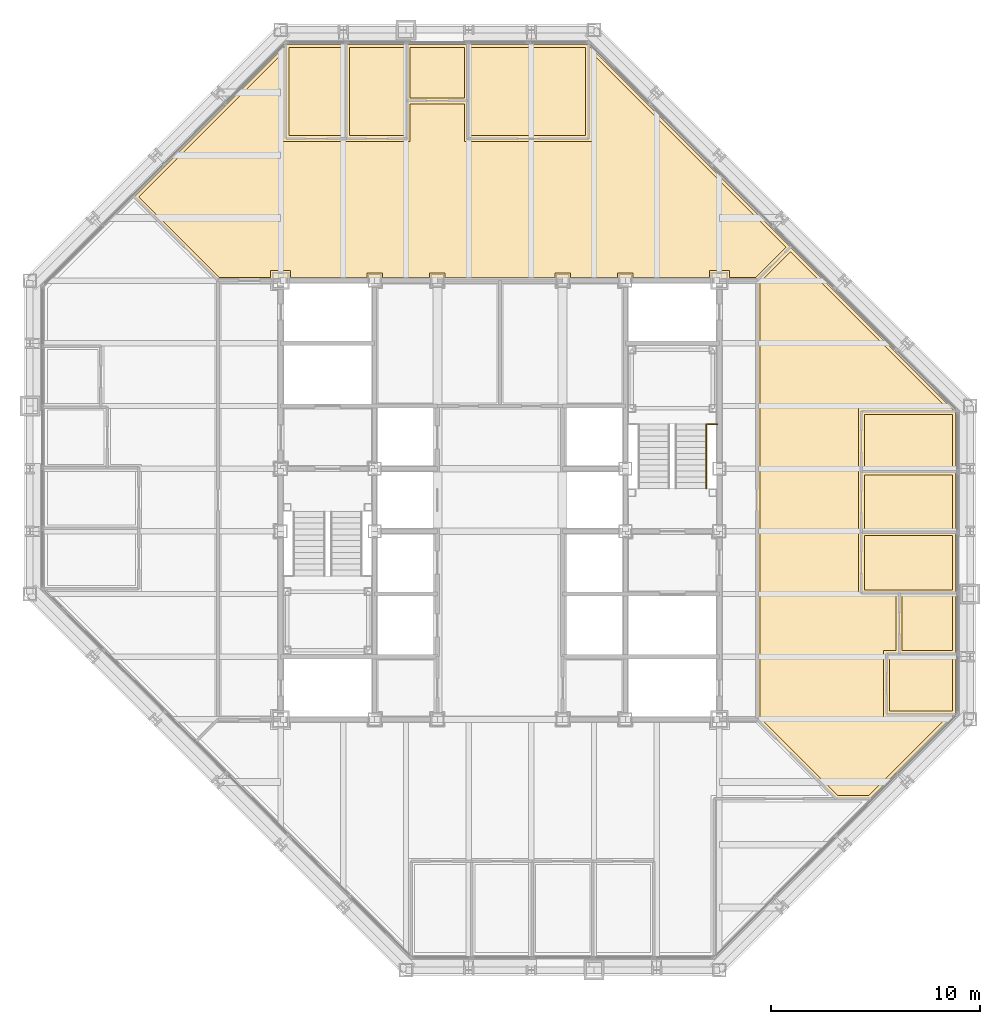
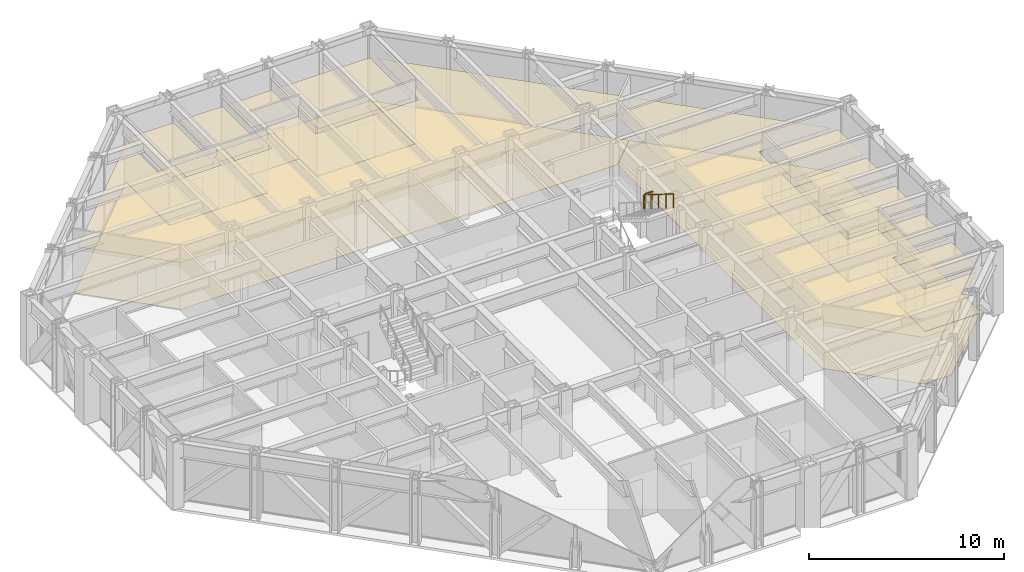
# One storey, part 15 of 15: 22 coverings, 2 railings.
"""IFC4 building model written with IfcOpenShell, lengths in metres."""

from ifc_helpers import new_model, si_unit, direction, frame, origin, origin_2d, place, context, subcontext, project, spatial, polyline, circle, outline, extrude, material, layer, layer_set, type_object, element, save


model = new_model("IFC4")

# Units and contexts
model_context = context("Model", 3, precision=1e-05, world=origin(), true_north=direction((0.0, 1.0)))
body_context = subcontext(model_context, "Body", "Model", "MODEL_VIEW")
ifc_project = project(units=[si_unit("LENGTHUNIT", "METRE"), si_unit("AREAUNIT", "SQUARE_METRE"), si_unit("VOLUMEUNIT", "CUBIC_METRE"), si_unit("PLANEANGLEUNIT", "RADIAN"), si_unit("MASSUNIT", "GRAM", prefix="KILO")], contexts=[model_context])

# Site, building, storey
site_placement = place(None, origin())
site = spatial("IfcSite", under=ifc_project, at=site_placement, CompositionType="ELEMENT")
building_placement = place(site_placement, origin())
building = spatial("IfcBuilding", under=site, at=building_placement, Name="Chuquiago Exchange Tower", CompositionType="ELEMENT")
storey_placement = place(building_placement, frame((0.0, 0.0, 188.699951171875)))
storey = spatial("IfcBuildingStorey", under=building, at=storey_placement, Name="L41", CompositionType="ELEMENT", Elevation=188.699951171875)

# Coverings
ifc_material_1 = material(Name="Mineral fibre tile, 600 x 600, on pale metal grid", Category="mineral fibre")
ifc_layer_1 = layer(ifc_material_1, 0.02001953125)
ifc_layer_set_1 = layer_set([ifc_layer_1], Name="CL1 suspended tile ceiling 20")
covering_type_1 = type_object("IfcCoveringType", Name="CL1 suspended tile ceiling 20", PredefinedType="CEILING", material=ifc_layer_set_1)
covering_1_placement = place(storey_placement, frame((0.0, 0.0, 2.800048828125)))
element("IfcCovering", 1, at=covering_1_placement, inside=storey, type_object=covering_type_1, Name="Ceiling Pantry", PredefinedType="CEILING", context=body_context, shape_type="SweptSolid", body=[
    extrude(outline(polyline([(41.14990234375, 12.3984375), (41.14990234375, 14.9990234375), (44.14990234375, 14.9990234375), (44.14990234375, 12.3984375), (41.14990234375, 12.3984375)])), origin(), (0.0, 0.0, 1.0), 0.02001953125),
])
covering_2_placement = place(storey_placement, frame((0.0, 0.0, 2.800048828125)))
element("IfcCovering", 2, at=covering_2_placement, inside=storey, type_object=covering_type_1, Name="Ceiling Focus room", PredefinedType="CEILING", context=body_context, shape_type="SweptSolid", body=[
    extrude(outline(polyline([(41.75, 15.299072265625), (41.75, 17.899658203125), (44.14990234375, 17.899658203125), (44.14990234375, 15.299072265625), (41.75, 15.299072265625)])), origin(), (0.0, 0.0, 1.0), 0.02001953125),
])
covering_3_placement = place(storey_placement, frame((0.0, 0.0, 2.800048828125)))
element("IfcCovering", 3, at=covering_3_placement, inside=storey, type_object=covering_type_1, Name="Ceiling Office", PredefinedType="CEILING", context=body_context, shape_type="SweptSolid", body=[
    extrude(outline(polyline([(39.949951171875, 18.19970703125), (39.949951171875, 20.80029296875), (44.14990234375, 20.80029296875), (44.14990234375, 18.19970703125), (39.949951171875, 18.19970703125)])), origin(), (0.0, 0.0, 1.0), 0.02001953125),
])
covering_4_placement = place(storey_placement, frame((0.0, 0.0, 2.800048828125)))
element("IfcCovering", 4, at=covering_4_placement, inside=storey, type_object=covering_type_1, Name="Ceiling Meeting room", PredefinedType="CEILING", context=body_context, shape_type="SweptSolid", body=[
    extrude(outline(polyline([(39.949951171875, 21.100341796875), (39.949951171875, 23.700927734375), (44.14990234375, 23.700927734375), (44.14990234375, 21.100341796875), (39.949951171875, 21.100341796875)])), origin(), (0.0, 0.0, 1.0), 0.02001953125),
])
covering_5_placement = place(storey_placement, frame((0.0, 0.0, 2.800048828125)))
element("IfcCovering", 5, at=covering_5_placement, inside=storey, type_object=covering_type_1, Name="Ceiling Meeting room", PredefinedType="CEILING", context=body_context, shape_type="SweptSolid", body=[
    extrude(outline(polyline([(44.14990234375, 24.0009765625), (39.949951171875, 24.0009765625), (39.949951171875, 26.6015625), (44.14990234375, 26.6015625), (44.14990234375, 24.0009765625)])), origin(), (0.0, 0.0, 1.0), 0.02001953125),
])
covering_6_placement = place(storey_placement, frame((0.0, 0.0, 2.800048828125)))
element("IfcCovering", 6, at=covering_6_placement, inside=storey, type_object=covering_type_1, Name="Ceiling Office", PredefinedType="CEILING", context=body_context, shape_type="SweptSolid", body=[
    extrude(outline(polyline([(14.9990234375, 44.14990234375), (14.9990234375, 39.949951171875), (12.3984375, 39.949951171875), (12.3984375, 44.14990234375), (14.9990234375, 44.14990234375)])), origin(), (0.0, 0.0, 1.0), 0.02001953125),
])
covering_7_placement = place(storey_placement, frame((0.0, 0.0, 2.800048828125)))
element("IfcCovering", 7, at=covering_7_placement, inside=storey, type_object=covering_type_1, Name="Ceiling Office", PredefinedType="CEILING", context=body_context, shape_type="SweptSolid", body=[
    extrude(outline(polyline([(17.899658203125, 39.949951171875), (15.299072265625, 39.949951171875), (15.299072265625, 44.14990234375), (17.899658203125, 44.14990234375), (17.899658203125, 39.949951171875)])), origin(), (0.0, 0.0, 1.0), 0.02001953125),
])
covering_8_placement = place(storey_placement, frame((0.0, 0.0, 2.800048828125)))
element("IfcCovering", 8, at=covering_8_placement, inside=storey, type_object=covering_type_1, Name="Ceiling Focus room", PredefinedType="CEILING", context=body_context, shape_type="SweptSolid", body=[
    extrude(outline(polyline([(20.80029296875, 41.75), (18.19970703125, 41.75), (18.19970703125, 44.14990234375), (20.80029296875, 44.14990234375), (20.80029296875, 41.75)])), origin(), (0.0, 0.0, 1.0), 0.02001953125),
])
covering_9_placement = place(storey_placement, frame((0.0, 0.0, 2.800048828125)))
element("IfcCovering", 9, at=covering_9_placement, inside=storey, type_object=covering_type_1, Name="Ceiling Meeting room", PredefinedType="CEILING", context=body_context, shape_type="SweptSolid", body=[
    extrude(outline(polyline([(26.6015625, 39.949951171875), (21.100341796875, 39.949951171875), (21.100341796875, 44.14990234375), (26.6015625, 44.14990234375), (26.6015625, 39.949951171875)])), origin(), (0.0, 0.0, 1.0), 0.02001953125),
])
covering_10_placement = place(storey_placement, frame((0.0, 0.0, 2.800048828125)))
element("IfcCovering", 10, at=covering_10_placement, inside=storey, type_object=covering_type_1, Name="Ceiling Open office north", PredefinedType="CEILING", context=body_context, shape_type="SweptSolid", body=[
    extrude(outline(polyline([(12.098388671875, 39.64990234375), (18.19970703125, 39.64990234375), (18.19970703125, 41.449951171875), (20.80029296875, 41.449951171875), (20.80029296875, 39.64990234375), (26.901611328125, 39.64990234375), (26.901611328125, 43.896484375), (36.192626953125, 34.60546875), (34.7373046875, 33.14990234375), (33.47509765625, 33.14990234375), (33.47509765625, 33.47509765625), (32.52490234375, 33.47509765625), (32.52490234375, 33.14990234375), (28.875, 33.14990234375), (28.875, 33.375), (28.125, 33.375), (28.125, 33.14990234375), (25.875, 33.14990234375), (25.875, 33.375), (25.125, 33.375), (25.125, 33.14990234375), (19.875, 33.14990234375), (19.875, 33.375), (19.125, 33.375), (19.125, 33.14990234375), (16.875, 33.14990234375), (16.875, 33.375), (16.125, 33.375), (16.125, 33.14990234375), (12.47509765625, 33.14990234375), (12.47509765625, 33.47509765625), (11.52490234375, 33.47509765625), (11.52490234375, 33.14990234375), (9.0625, 33.14990234375), (5.20751953125, 37.00537109375), (12.098388671875, 43.896484375), (12.098388671875, 39.64990234375)])), origin(), (0.0, 0.0, 1.0), 0.02001953125),
])
covering_11_placement = place(storey_placement, frame((0.0, 0.0, 2.800048828125)))
element("IfcCovering", 11, at=covering_11_placement, inside=storey, type_object=covering_type_1, Name="Ceiling Open office east", PredefinedType="CEILING", context=body_context, shape_type="SweptSolid", body=[
    extrude(outline(polyline([(40.14794921875, 8.35009765625), (38.662841796875, 8.35009765625), (34.949951171875, 12.0625), (34.949951171875, 32.9375), (36.405517578125, 34.392578125), (43.896484375, 26.901611328125), (39.64990234375, 26.901611328125), (39.64990234375, 17.899658203125), (41.449951171875, 17.899658203125), (41.449951171875, 15.299072265625), (40.85009765625, 15.299072265625), (40.85009765625, 12.098388671875), (43.896484375, 12.098388671875), (40.14794921875, 8.35009765625)])), origin(), (0.0, 0.0, 1.0), 0.02001953125),
])
ifc_material_2 = material(Name="Carpet tile, 500 x 500, on the floor slab", Category="textile")
ifc_layer_2 = layer(ifc_material_2, 0.010009765625)
ifc_layer_set_2 = layer_set([ifc_layer_2], Name="FL1 carpet tile 10")
covering_type_2 = type_object("IfcCoveringType", Name="FL1 carpet tile 10", PredefinedType="FLOORING", material=ifc_layer_set_2)
covering_12_placement = place(storey_placement, origin())
element("IfcCovering", 12, at=covering_12_placement, inside=storey, type_object=covering_type_2, Name="Floor finish Focus room", PredefinedType="FLOORING", context=body_context, shape_type="SweptSolid", body=[
    extrude(outline(polyline([(44.300048828125, 15.149169921875), (41.60009765625, 15.149169921875), (41.60009765625, 18.0498046875), (44.300048828125, 18.0498046875), (44.300048828125, 15.149169921875)])), origin(), (0.0, 0.0, 1.0), 0.010009765625),
])
covering_13_placement = place(storey_placement, origin())
element("IfcCovering", 13, at=covering_13_placement, inside=storey, type_object=covering_type_2, Name="Floor finish Office", PredefinedType="FLOORING", context=body_context, shape_type="SweptSolid", body=[
    extrude(outline(polyline([(44.300048828125, 18.0498046875), (39.800048828125, 18.0498046875), (39.800048828125, 20.9501953125), (44.300048828125, 20.9501953125), (44.300048828125, 18.0498046875)])), origin(), (0.0, 0.0, 1.0), 0.010009765625),
])
covering_14_placement = place(storey_placement, origin())
element("IfcCovering", 14, at=covering_14_placement, inside=storey, type_object=covering_type_2, Name="Floor finish Meeting room", PredefinedType="FLOORING", context=body_context, shape_type="SweptSolid", body=[
    extrude(outline(polyline([(44.300048828125, 20.9501953125), (39.800048828125, 20.9501953125), (39.800048828125, 23.850830078125), (44.300048828125, 23.850830078125), (44.300048828125, 20.9501953125)])), origin(), (0.0, 0.0, 1.0), 0.010009765625),
])
covering_15_placement = place(storey_placement, origin())
element("IfcCovering", 15, at=covering_15_placement, inside=storey, type_object=covering_type_2, Name="Floor finish Meeting room", PredefinedType="FLOORING", context=body_context, shape_type="SweptSolid", body=[
    extrude(outline(polyline([(44.300048828125, 26.710205078125), (44.300048828125, 23.850830078125), (39.800048828125, 23.850830078125), (39.800048828125, 26.75146484375), (44.258544921875, 26.75146484375), (44.300048828125, 26.710205078125)])), origin(), (0.0, 0.0, 1.0), 0.010009765625),
])
covering_16_placement = place(storey_placement, origin())
element("IfcCovering", 16, at=covering_16_placement, inside=storey, type_object=covering_type_2, Name="Floor finish Office", PredefinedType="FLOORING", context=body_context, shape_type="SweptSolid", body=[
    extrude(outline(polyline([(12.289794921875, 44.300048828125), (15.149169921875, 44.300048828125), (15.149169921875, 39.800048828125), (12.24853515625, 39.800048828125), (12.24853515625, 44.258544921875), (12.289794921875, 44.300048828125)])), origin(), (0.0, 0.0, 1.0), 0.010009765625),
])
covering_17_placement = place(storey_placement, origin())
element("IfcCovering", 17, at=covering_17_placement, inside=storey, type_object=covering_type_2, Name="Floor finish Office", PredefinedType="FLOORING", context=body_context, shape_type="SweptSolid", body=[
    extrude(outline(polyline([(18.0498046875, 44.300048828125), (18.0498046875, 39.800048828125), (15.149169921875, 39.800048828125), (15.149169921875, 44.300048828125), (18.0498046875, 44.300048828125)])), origin(), (0.0, 0.0, 1.0), 0.010009765625),
])
covering_18_placement = place(storey_placement, origin())
element("IfcCovering", 18, at=covering_18_placement, inside=storey, type_object=covering_type_2, Name="Floor finish Focus room", PredefinedType="FLOORING", context=body_context, shape_type="SweptSolid", body=[
    extrude(outline(polyline([(20.9501953125, 44.300048828125), (20.9501953125, 41.60009765625), (18.0498046875, 41.60009765625), (18.0498046875, 44.300048828125), (20.9501953125, 44.300048828125)])), origin(), (0.0, 0.0, 1.0), 0.010009765625),
])
covering_19_placement = place(storey_placement, origin())
element("IfcCovering", 19, at=covering_19_placement, inside=storey, type_object=covering_type_2, Name="Floor finish Meeting room", PredefinedType="FLOORING", context=body_context, shape_type="SweptSolid", body=[
    extrude(outline(polyline([(26.710205078125, 44.300048828125), (26.75146484375, 44.258544921875), (26.75146484375, 39.800048828125), (20.9501953125, 39.800048828125), (20.9501953125, 44.300048828125), (26.710205078125, 44.300048828125)])), origin(), (0.0, 0.0, 1.0), 0.010009765625),
])
covering_20_placement = place(storey_placement, origin())
element("IfcCovering", 20, at=covering_20_placement, inside=storey, type_object=covering_type_2, Name="Floor finish Open office north", PredefinedType="FLOORING", context=body_context, shape_type="SweptSolid", body=[
    extrude(outline(polyline([(12.24853515625, 44.258544921875), (12.24853515625, 39.800048828125), (18.0498046875, 39.800048828125), (18.0498046875, 41.60009765625), (20.9501953125, 41.60009765625), (20.9501953125, 39.800048828125), (26.75146484375, 39.800048828125), (26.75146484375, 44.258544921875), (36.40478515625, 34.60546875), (34.799560546875, 33.0), (9.00048828125, 33.0), (4.995361328125, 37.00537109375), (12.289794921875, 44.300048828125), (12.24853515625, 44.258544921875)])), origin(), (0.0, 0.0, 1.0), 0.010009765625),
])
covering_21_placement = place(storey_placement, origin())
element("IfcCovering", 21, at=covering_21_placement, inside=storey, type_object=covering_type_2, Name="Floor finish Open office east", PredefinedType="FLOORING", context=body_context, shape_type="SweptSolid", body=[
    extrude(outline(polyline([(44.258544921875, 26.75146484375), (39.800048828125, 26.75146484375), (39.800048828125, 18.0498046875), (41.60009765625, 18.0498046875), (41.60009765625, 15.149169921875), (41.0, 15.149169921875), (41.0, 12.24853515625), (44.258544921875, 12.24853515625), (44.300048828125, 12.289794921875), (40.210205078125, 8.199951171875), (38.6005859375, 8.199951171875), (34.800048828125, 12.00048828125), (34.800048828125, 32.99951171875), (36.405517578125, 34.604736328125), (44.258544921875, 26.75146484375)])), origin(), (0.0, 0.0, 1.0), 0.010009765625),
])
ifc_material_3 = material(Name="Porcelain floor tile, 600 x 600, on adhesive bed", Category="ceramic")
ifc_layer_3 = layer(ifc_material_3, 0.014892578125)
ifc_layer_set_3 = layer_set([ifc_layer_3], Name="FL2 porcelain tile 15")
covering_type_3 = type_object("IfcCoveringType", Name="FL2 porcelain tile 15", PredefinedType="FLOORING", material=ifc_layer_set_3)
covering_22_placement = place(storey_placement, origin())
element("IfcCovering", 22, at=covering_22_placement, inside=storey, type_object=covering_type_3, Name="Floor finish Pantry", PredefinedType="FLOORING", context=body_context, shape_type="SweptSolid", body=[
    extrude(outline(polyline([(44.300048828125, 12.289794921875), (44.258544921875, 12.24853515625), (41.0, 12.24853515625), (41.0, 15.149169921875), (44.300048828125, 15.149169921875), (44.300048828125, 12.289794921875)])), origin(), (0.0, 0.0, 1.0), 0.01513671875),
])

# Railings
ifc_material_4 = material(Name="Pale metal guard with safety glass infill", Category="glass")
railing_type_1 = type_object("IfcRailingType", Name="GR1 guard 1100", PredefinedType="GUARDRAIL", material=ifc_material_4)
railing_1_placement = place(storey_placement, frame((32.445068359375, 26.1298828125, 2.10009765625)))
element("IfcRailing", 23, at=railing_1_placement, inside=storey, type_object=railing_type_1, Name="Guard ST2 L41 landing 2", PredefinedType="GUARDRAIL", context=body_context, shape_type="SweptSolid", body=[
    extrude(circle(Radius=0.02392578125, at=origin_2d()), frame((0.0, 0.0, 1.076171875), z_axis=(1.0, 0.0, 0.0), x_axis=(0.0, 1.0, 0.0)), (0.0, 0.0, 1.0), 0.454833984375),
    extrude(circle(Radius=0.02099609375, at=origin_2d()), origin(), (0.0, 0.0, 1.0), 1.052001953125),
    extrude(circle(Radius=0.02099609375, at=origin_2d()), frame((0.454833984375, 0.0, 0.0)), (0.0, 0.0, 1.0), 1.052001953125),
])
ifc_material_5 = material(Name="Pale metal handrail", Category="steel")
railing_type_2 = type_object("IfcRailingType", Name="HR1 handrail 900", PredefinedType="HANDRAIL", material=ifc_material_5)
railing_2_placement = place(storey_placement, frame((32.364990234375, 26.1298828125, 2.275146484375)))
element("IfcRailing", 24, at=railing_2_placement, inside=storey, type_object=railing_type_2, Name="Handrail ST2 L41 flight 2", PredefinedType="HANDRAIL", context=body_context, shape_type="SweptSolid", body=[
    extrude(circle(Radius=0.02392578125, at=origin_2d()), frame((0.0, 0.0, 0.8759765625), z_axis=(0.0, -0.848009633417, 0.529980812513), x_axis=(1.0, 0.0, 0.0)), (0.0, 0.0, 1.0), 3.6318359375),
    extrude(circle(Radius=0.02099609375, at=origin_2d()), origin(), (0.0, 0.0, 1.0), 0.851806640625),
    extrude(circle(Radius=0.02099609375, at=origin_2d()), frame((0.0, -0.77001953125, 0.481201171875)), (0.0, 0.0, 1.0), 0.851806640625),
    extrude(circle(Radius=0.02099609375, at=origin_2d()), frame((0.0, -1.5400390625, 0.96240234375)), (0.0, 0.0, 1.0), 0.851806640625),
    extrude(circle(Radius=0.02099609375, at=origin_2d()), frame((0.0, -2.309814453125, 1.443603515625)), (0.0, 0.0, 1.0), 0.851806640625),
    extrude(circle(Radius=0.02099609375, at=origin_2d()), frame((0.0, -3.079833984375, 1.9248046875)), (0.0, 0.0, 1.0), 0.851806640625),
])

save(model, "model.ifc")
